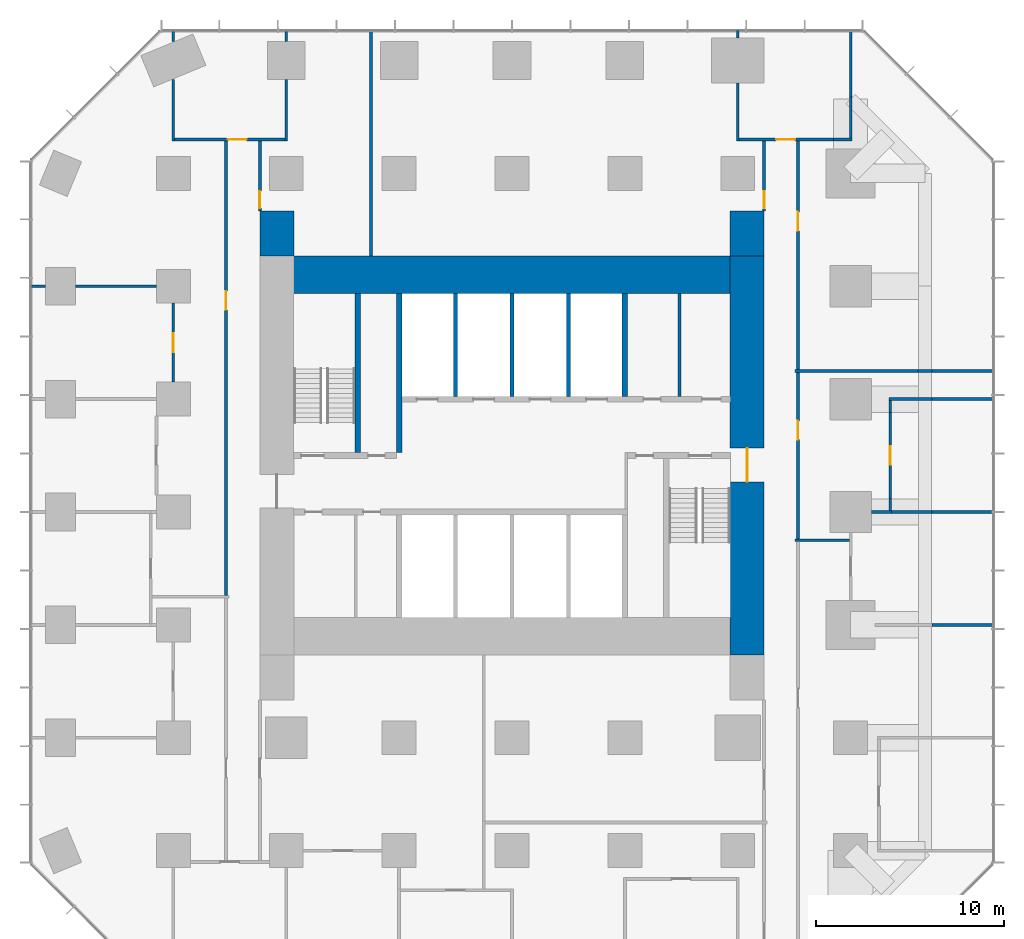
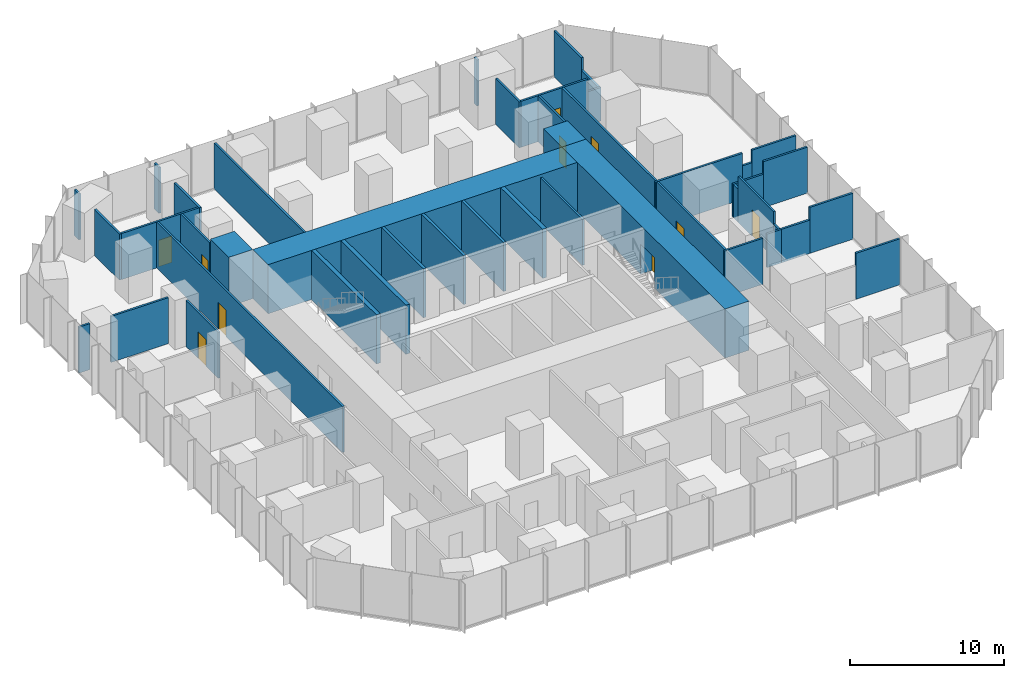
# One storey, part 10 of 12: 44 walls, 10 doors, 10 openings.
"""IFC4 building model written with IfcOpenShell, lengths in metres."""

from ifc_helpers import new_model, si_unit, direction, frame, frame_2d, origin, place, context, subcontext, project, spatial, rectangle, extrude, material, layer, layer_set, type_object, element, fill, save


model = new_model("IFC4")

# Units and contexts
model_context = context("Model", 3, precision=1e-05, world=origin(), true_north=direction((0.0, 1.0)))
body_context = subcontext(model_context, "Body", "Model", "MODEL_VIEW")
ifc_project = project(units=[si_unit("LENGTHUNIT", "METRE"), si_unit("AREAUNIT", "SQUARE_METRE"), si_unit("VOLUMEUNIT", "CUBIC_METRE"), si_unit("PLANEANGLEUNIT", "RADIAN"), si_unit("MASSUNIT", "GRAM", prefix="KILO")], contexts=[model_context])

# Site, building, storey
site_placement = place(None, origin())
site = spatial("IfcSite", under=ifc_project, at=site_placement, CompositionType="ELEMENT")
building_placement = place(site_placement, origin())
building = spatial("IfcBuilding", under=site, at=building_placement, Name="Highveld Stack Headquarters", CompositionType="ELEMENT")
storey_placement = place(building_placement, frame((0.0, 0.0, 57.199951171875)))
storey = spatial("IfcBuildingStorey", under=building, at=storey_placement, Name="L13", CompositionType="ELEMENT", Elevation=57.199951171875)

# Wall, opening, door
ifc_material_1 = material(Name="Concrete C60/75", Category="concrete")
ifc_layer_1 = layer(ifc_material_1, 1.800048828125)
ifc_layer_set_1 = layer_set([ifc_layer_1], Name="Concrete C60/75")
wall_type_1 = type_object("IfcWallType", Name="CORE WALL 1800 C60/75", PredefinedType="SHEAR", material=ifc_layer_set_1)
wall_1_placement = place(storey_placement, frame((18.5, -7.60009765625, 0.0), z_axis=(0.0, 0.0, 1.0), x_axis=(0.0, 1.0, 0.0)))
wall_1 = element("IfcWall", 1, at=wall_1_placement, inside=storey, type_object=wall_type_1, Name="Core wall E L13", PredefinedType="SHEAR", context=body_context, shape_type="SweptSolid", body=[
    extrude(rectangle(XDim=21.2001953125, YDim=1.800048828125, at=frame_2d((10.60009765625, 0.0))), origin(), (0.0, 0.0, 1.0), 3.900146484375),
])
opening_1_placement = place(wall_1_placement, frame((9.199951171875, 0.0, 0.0)))
opening_1 = element("IfcOpeningElement", 2, at=opening_1_placement, cuts=wall_1, Name="Opening L13-02", PredefinedType="OPENING", context=body_context, shape_type="SweptSolid", body=[
    extrude(rectangle(XDim=1.800048828125, YDim=2.39990234375, at=frame_2d((0.89990234375, 1.199951171875))), frame((0.0, 0.909912109375, 0.0), z_axis=(0.0, -1.0, 0.0), x_axis=(1.0, 0.0, 0.0)), (0.0, 0.0, 1.0), 1.820068359375),
])
ifc_material_2 = material(Name="Steel fire door", Category="steel")
door_type_1 = type_object("IfcDoorType", Name="LOBBY FIRE DOOR D4 1800x2400", OperationType="DOUBLE_DOOR_SINGLE_SWING", PredefinedType="DOOR", material=ifc_material_2)
door_1_placement = place(opening_1_placement, origin())
door_1 = element("IfcDoor", 3, at=door_1_placement, inside=storey, type_object=door_type_1, Name="Core east door L13", OperationType="DOUBLE_DOOR_SINGLE_SWING", OverallHeight=2.39990234375, OverallWidth=1.800048828125, PredefinedType="DOOR", context=body_context, shape_type="SweptSolid", body=[
    extrude(rectangle(XDim=1.800048828125, YDim=2.39990234375, at=frame_2d((0.89990234375, 1.199951171875))), frame((0.0, 0.02490234375, 0.0), z_axis=(0.0, -1.0, 0.0), x_axis=(1.0, 0.0, 0.0)), (0.0, 0.0, 1.0), 0.050048828125),
])
fill(opening_1, door_1)

# Walls
ifc_material_3 = material(Name="Concrete C60/75", Category="concrete")
ifc_layer_2 = layer(ifc_material_3, 2.0)
ifc_layer_set_2 = layer_set([ifc_layer_2], Name="Concrete C60/75")
wall_type_2 = type_object("IfcWallType", Name="CORE WALL 2000 C60/75", PredefinedType="SHEAR", material=ifc_layer_set_2)
wall_2_placement = place(storey_placement, frame((-5.60009765625, 12.60009765625, 0.0), z_axis=(0.0, 0.0, 1.0), x_axis=(1.0, 0.0, 0.0)))
element("IfcWall", 4, at=wall_2_placement, inside=storey, type_object=wall_type_2, Name="Core wall N L13", PredefinedType="SHEAR", context=body_context, shape_type="SweptSolid", body=[
    extrude(rectangle(XDim=23.2001953125, YDim=2.0, at=frame_2d((11.60009765625, 0.0))), origin(), (0.0, 0.0, 1.0), 3.900146484375),
])
ifc_material_4 = material(Name="Concrete C60/75", Category="concrete")
ifc_layer_3 = layer(ifc_material_4, 0.300048828125)
ifc_layer_set_3 = layer_set([ifc_layer_3], Name="Concrete C60/75")
wall_type_3 = type_object("IfcWallType", Name="CORE WALL 300 C60/75", PredefinedType="SHEAR", material=ifc_layer_set_3)
wall_3_placement = place(storey_placement, frame((0.0, 3.14990234375, 0.0), z_axis=(0.0, 0.0, 1.0), x_axis=(0.0, 1.0, 0.0)))
element("IfcWall", 5, at=wall_3_placement, inside=storey, type_object=wall_type_3, Name="Core wall I-X0N L13", PredefinedType="SHEAR", context=body_context, shape_type="SweptSolid", body=[
    extrude(rectangle(XDim=8.4501953125, YDim=0.300048828125, at=frame_2d((4.22509765625, 0.0))), origin(), (0.0, 0.0, 1.0), 3.900146484375),
])
wall_4_placement = place(storey_placement, frame((12.0, 6.14990234375, 0.0), z_axis=(0.0, 0.0, 1.0), x_axis=(0.0, 1.0, 0.0)))
element("IfcWall", 6, at=wall_4_placement, inside=storey, type_object=wall_type_3, Name="Core wall I-X12N L13", PredefinedType="SHEAR", context=body_context, shape_type="SweptSolid", body=[
    extrude(rectangle(XDim=5.4501953125, YDim=0.300048828125, at=frame_2d((2.72509765625, 0.0))), origin(), (0.0, 0.0, 1.0), 3.900146484375),
])
wall_5_placement = place(storey_placement, frame((-2.199951171875, 3.14990234375, 0.0), z_axis=(0.0, 0.0, 1.0), x_axis=(0.0, 1.0, 0.0)))
element("IfcWall", 7, at=wall_5_placement, inside=storey, type_object=wall_type_3, Name="Core wall I-RW L13", PredefinedType="SHEAR", context=body_context, shape_type="SweptSolid", body=[
    extrude(rectangle(XDim=8.4501953125, YDim=0.300048828125, at=frame_2d((4.22509765625, 0.0))), origin(), (0.0, 0.0, 1.0), 3.900146484375),
])
ifc_material_5 = material(Name="Concrete C60/75", Category="concrete")
ifc_layer_4 = layer(ifc_material_5, 1.800048828125)
ifc_layer_set_4 = layer_set([ifc_layer_4], Name="Concrete C60/75")
wall_type_4 = type_object("IfcWallType", Name="CORE WING WALL 1800 C60/75", PredefinedType="SHEAR", material=ifc_layer_set_4)
for number, where, z_axis, x_axis, name in (
    (8, (-6.5, 13.60009765625, 0.0), (0.0, 0.0, 1.0), (0.0, 1.0, 0.0), "Core wing wall WN L13"),
    (9, (18.5, 13.60009765625, 0.0), (0.0, 0.0, 1.0), (0.0, 1.0, 0.0), "Core wing wall EN L13"),
):
    element("IfcWall", number, at=place(storey_placement, frame(where, z_axis=z_axis, x_axis=x_axis)), inside=storey, type_object=wall_type_4, Name=name, PredefinedType="SHEAR", context=body_context, shape_type="SweptSolid", body=[
        extrude(rectangle(XDim=2.39990234375, YDim=1.800048828125, at=frame_2d((1.199951171875, 0.0))), origin(), (0.0, 0.0, 1.0), 3.900146484375),
    ])
ifc_material_6 = material(Name="Concrete blockwork, fair-faced", Category="masonry")
ifc_layer_5 = layer(ifc_material_6, 0.199951171875)
ifc_layer_set_5 = layer_set([ifc_layer_5], Name="Concrete blockwork, fair-faced")
wall_type_5 = type_object("IfcWallType", Name="LIFT SHAFT ENCLOSURE WALL 200 BLOCKWORK", PredefinedType="SOLIDWALL", material=ifc_layer_set_5)
for number, where, z_axis, x_axis, name in (
    (10, (3.0, 6.14990234375, 0.0), (0.0, 0.0, 1.0), (0.0, 1.0, 0.0), "Lift shaft wall L13"),
    (11, (6.0, 6.14990234375, 0.0), (0.0, 0.0, 1.0), (0.0, 1.0, 0.0), "Lift shaft wall L13"),
    (12, (9.0, 6.14990234375, 0.0), (0.0, 0.0, 1.0), (0.0, 1.0, 0.0), "Lift shaft wall L13"),
):
    element("IfcWall", number, at=place(storey_placement, frame(where, z_axis=z_axis, x_axis=x_axis)), inside=storey, type_object=wall_type_5, Name=name, PredefinedType="SOLIDWALL", context=body_context, shape_type="SweptSolid", body=[
        extrude(rectangle(XDim=5.4501953125, YDim=0.199951171875, at=frame_2d((2.72509765625, 0.0))), origin(), (0.0, 0.0, 1.0), 3.900146484375),
    ])
ifc_material_7 = material(Name="Gypsum plasterboard on steel studs", Category="steel")
ifc_layer_6 = layer(ifc_material_7, 0.14990234375)
ifc_layer_set_6 = layer_set([ifc_layer_6], Name="Gypsum plasterboard on steel studs")
wall_type_6 = type_object("IfcWallType", Name="PARTITION 150 PLASTERBOARD", PredefinedType="PARTITIONING", material=ifc_layer_set_6)
wall_6_placement = place(storey_placement, frame((28.31005859375, -6.0, 0.0), z_axis=(0.0, 0.0, 1.0), x_axis=(1.0, 0.0, 0.0)))
element("IfcWall", 13, at=wall_6_placement, inside=storey, type_object=wall_type_6, Name="Partition Meeting room L13", PredefinedType="PARTITIONING", context=body_context, shape_type="SweptSolid", body=[
    extrude(rectangle(XDim=3.2900390625, YDim=0.14990234375, at=frame_2d((1.64501953125, 0.0))), origin(), (0.0, 0.0, 1.0), 3.650146484375),
])
wall_7_placement = place(storey_placement, frame((25.10009765625, 0.0, 0.0), z_axis=(0.0, 0.0, 1.0), x_axis=(1.0, 0.0, 0.0)))
element("IfcWall", 14, at=wall_7_placement, inside=storey, type_object=wall_type_6, Name="Partition Meeting room L13", PredefinedType="PARTITIONING", context=body_context, shape_type="SweptSolid", body=[
    extrude(rectangle(XDim=1.074951171875, YDim=0.14990234375, at=frame_2d((0.53759765625, 0.0))), origin(), (0.0, 0.0, 1.0), 2.650146484375),
])
wall_8_placement = place(storey_placement, frame((26.10009765625, 0.0, 0.0), z_axis=(0.0, 0.0, 1.0), x_axis=(1.0, 0.0, 0.0)))
element("IfcWall", 15, at=wall_8_placement, inside=storey, type_object=wall_type_6, Name="Partition Focus room / Meeting room L13", PredefinedType="PARTITIONING", context=body_context, shape_type="SweptSolid", body=[
    extrude(rectangle(XDim=2.2099609375, YDim=0.14990234375, at=frame_2d((1.10498046875, 0.0))), origin(), (0.0, 0.0, 1.0), 2.650146484375),
])
wall_9_placement = place(storey_placement, frame((28.31005859375, 0.0, 0.0), z_axis=(0.0, 0.0, 1.0), x_axis=(1.0, 0.0, 0.0)))
element("IfcWall", 16, at=wall_9_placement, inside=storey, type_object=wall_type_6, Name="Partition Focus room / Meeting room L13", PredefinedType="PARTITIONING", context=body_context, shape_type="SweptSolid", body=[
    extrude(rectangle(XDim=3.239990234375, YDim=0.14990234375, at=frame_2d((1.6201171875, 0.0))), origin(), (0.0, 0.0, 1.0), 3.650146484375),
])
wall_10_placement = place(storey_placement, frame((26.02490234375, 6.0, 0.0), z_axis=(0.0, 0.0, 1.0), x_axis=(1.0, 0.0, 0.0)))
element("IfcWall", 17, at=wall_10_placement, inside=storey, type_object=wall_type_6, Name="Partition Focus room L13", PredefinedType="PARTITIONING", context=body_context, shape_type="SweptSolid", body=[
    extrude(rectangle(XDim=2.28515625, YDim=0.14990234375, at=frame_2d((1.142578125, 0.0))), origin(), (0.0, 0.0, 1.0), 2.650146484375),
])
wall_11_placement = place(storey_placement, frame((28.31005859375, 6.0, 0.0), z_axis=(0.0, 0.0, 1.0), x_axis=(1.0, 0.0, 0.0)))
element("IfcWall", 18, at=wall_11_placement, inside=storey, type_object=wall_type_6, Name="Partition Focus room L13", PredefinedType="PARTITIONING", context=body_context, shape_type="SweptSolid", body=[
    extrude(rectangle(XDim=3.2900390625, YDim=0.14990234375, at=frame_2d((1.64501953125, 0.0))), origin(), (0.0, 0.0, 1.0), 3.650146484375),
])
wall_12_placement = place(storey_placement, frame((-19.60009765625, 12.0, 0.0), z_axis=(0.0, 0.0, 1.0), x_axis=(1.0, 0.0, 0.0)))
element("IfcWall", 19, at=wall_12_placement, inside=storey, type_object=wall_type_6, Name="Partition Office L13", PredefinedType="PARTITIONING", context=body_context, shape_type="SweptSolid", body=[
    extrude(rectangle(XDim=0.800048828125, YDim=0.14990234375, at=frame_2d((0.39990234375, 0.0))), origin(), (0.0, 0.0, 1.0), 3.650146484375),
])
wall_13_placement = place(storey_placement, frame((-17.199951171875, 12.0, 0.0), z_axis=(0.0, 0.0, 1.0), x_axis=(1.0, 0.0, 0.0)))
element("IfcWall", 20, at=wall_13_placement, inside=storey, type_object=wall_type_6, Name="Partition Office L13", PredefinedType="PARTITIONING", context=body_context, shape_type="SweptSolid", body=[
    extrude(rectangle(XDim=4.300048828125, YDim=0.14990234375, at=frame_2d((2.14990234375, 0.0))), origin(), (0.0, 0.0, 1.0), 3.650146484375),
])

# Wall, opening, door
wall_14_placement = place(storey_placement, frame((-11.925048828125, 19.800048828125, 0.0), z_axis=(0.0, 0.0, 1.0), x_axis=(1.0, 0.0, 0.0)))
wall_14 = element("IfcWall", 21, at=wall_14_placement, inside=storey, type_object=wall_type_6, Name="Partition Print room L13", PredefinedType="PARTITIONING", context=body_context, shape_type="SweptSolid", body=[
    extrude(rectangle(XDim=5.85009765625, YDim=0.14990234375, at=frame_2d((2.925048828125, 0.0))), origin(), (0.0, 0.0, 1.0), 3.650146484375),
])
opening_2_placement = place(wall_14_placement, frame((2.824951171875, 0.0, 0.0)))
opening_2 = element("IfcOpeningElement", 22, at=opening_2_placement, cuts=wall_14, Name="Opening L13-22", PredefinedType="OPENING", context=body_context, shape_type="SweptSolid", body=[
    extrude(rectangle(XDim=1.0, YDim=2.10009765625, at=frame_2d((0.5, 1.050048828125))), frame((0.0, 0.0849609375, 0.0), z_axis=(0.0, -1.0, 0.0), x_axis=(1.0, 0.0, 0.0)), (0.0, 0.0, 1.0), 0.169921875),
])
ifc_material_8 = material(Name="Timber door, oiled ash", Category="wood")
door_type_2 = type_object("IfcDoorType", Name="ROOM DOOR D6 1000x2100", OperationType="SINGLE_SWING_LEFT", PredefinedType="DOOR", material=ifc_material_8)
door_2_placement = place(opening_2_placement, origin())
door_2 = element("IfcDoor", 23, at=door_2_placement, inside=storey, type_object=door_type_2, Name="Print room door 1 L13", OperationType="SINGLE_SWING_RIGHT", OverallHeight=2.10009765625, OverallWidth=1.0, PredefinedType="DOOR", context=body_context, shape_type="SweptSolid", body=[
    extrude(rectangle(XDim=1.0, YDim=2.10009765625, at=frame_2d((0.5, 1.050048828125))), frame((0.0, 0.02490234375, 0.0), z_axis=(0.0, -1.0, 0.0), x_axis=(1.0, 0.0, 0.0)), (0.0, 0.0, 1.0), 0.050048828125),
])
fill(opening_2, door_2)

wall_15_placement = place(storey_placement, frame((18.074951171875, 19.800048828125, 0.0), z_axis=(0.0, 0.0, 1.0), x_axis=(1.0, 0.0, 0.0)))
wall_15 = element("IfcWall", 24, at=wall_15_placement, inside=storey, type_object=wall_type_6, Name="Partition Print room L13", PredefinedType="PARTITIONING", context=body_context, shape_type="SweptSolid", body=[
    extrude(rectangle(XDim=5.01513671875, YDim=0.14990234375, at=frame_2d((2.507568359375, 0.0))), origin(), (0.0, 0.0, 1.0), 3.650146484375),
])
opening_3_placement = place(wall_15_placement, frame((1.969970703125, 0.0, 0.0)))
opening_3 = element("IfcOpeningElement", 25, at=opening_3_placement, cuts=wall_15, Name="Opening L13-23", PredefinedType="OPENING", context=body_context, shape_type="SweptSolid", body=[
    extrude(rectangle(XDim=1.0, YDim=2.10009765625, at=frame_2d((0.5, 1.050048828125))), frame((0.0, 0.0849609375, 0.0), z_axis=(0.0, -1.0, 0.0), x_axis=(1.0, 0.0, 0.0)), (0.0, 0.0, 1.0), 0.169921875),
])
door_3_placement = place(opening_3_placement, origin())
door_3 = element("IfcDoor", 26, at=door_3_placement, inside=storey, type_object=door_type_2, Name="Print room door 1 L13", OperationType="SINGLE_SWING_LEFT", OverallHeight=2.10009765625, OverallWidth=1.0, PredefinedType="DOOR", context=body_context, shape_type="SweptSolid", body=[
    extrude(rectangle(XDim=1.0, YDim=2.10009765625, at=frame_2d((0.5, 1.050048828125))), frame((0.0, 0.02490234375, 0.0), z_axis=(0.0, -1.0, 0.0), x_axis=(1.0, 0.0, 0.0)), (0.0, 0.0, 1.0), 0.050048828125),
])
fill(opening_3, door_3)

# Wall
wall_16_placement = place(storey_placement, frame((23.090087890625, 19.800048828125, 0.0), z_axis=(0.0, 0.0, 1.0), x_axis=(1.0, 0.0, 0.0)))
element("IfcWall", 27, at=wall_16_placement, inside=storey, type_object=wall_type_6, Name="Partition Print room L13", PredefinedType="PARTITIONING", context=body_context, shape_type="SweptSolid", body=[
    extrude(rectangle(XDim=0.98486328125, YDim=0.14990234375, at=frame_2d((0.492431640625, 0.0))), origin(), (0.0, 0.0, 1.0), 2.650146484375),
])

# Wall, opening, door
wall_17_placement = place(storey_placement, frame((-12.0, 6.89990234375, 0.0), z_axis=(0.0, 0.0, 1.0), x_axis=(0.0, 1.0, 0.0)))
wall_17 = element("IfcWall", 28, at=wall_17_placement, inside=storey, type_object=wall_type_6, Name="Partition Office L13", PredefinedType="PARTITIONING", context=body_context, shape_type="SweptSolid", body=[
    extrude(rectangle(XDim=4.2001953125, YDim=0.14990234375, at=frame_2d((2.10009765625, 0.0))), origin(), (0.0, 0.0, 1.0), 3.650146484375),
])
opening_4_placement = place(wall_17_placement, frame((1.60009765625, 0.0, 0.0)))
opening_4 = element("IfcOpeningElement", 29, at=opening_4_placement, cuts=wall_17, Name="Opening L13-18", PredefinedType="OPENING", context=body_context, shape_type="SweptSolid", body=[
    extrude(rectangle(XDim=1.0, YDim=2.10009765625, at=frame_2d((0.5, 1.050048828125))), frame((0.0, 0.0849609375, 0.0), z_axis=(0.0, -1.0, 0.0), x_axis=(1.0, 0.0, 0.0)), (0.0, 0.0, 1.0), 0.169921875),
])
door_4_placement = place(opening_4_placement, origin())
door_4 = element("IfcDoor", 30, at=door_4_placement, inside=storey, type_object=door_type_2, Name="Office door 1 L13", OperationType="SINGLE_SWING_LEFT", OverallHeight=2.10009765625, OverallWidth=1.0, PredefinedType="DOOR", context=body_context, shape_type="SweptSolid", body=[
    extrude(rectangle(XDim=1.0, YDim=2.10009765625, at=frame_2d((0.5, 1.050048828125))), frame((0.0, 0.02490234375, 0.0), z_axis=(0.0, -1.0, 0.0), x_axis=(1.0, 0.0, 0.0)), (0.0, 0.0, 1.0), 0.050048828125),
])
fill(opening_4, door_4)

# Walls
wall_18_placement = place(storey_placement, frame((-12.0, 19.72509765625, 0.0), z_axis=(0.0, 0.0, 1.0), x_axis=(0.0, 1.0, 0.0)))
element("IfcWall", 31, at=wall_18_placement, inside=storey, type_object=wall_type_6, Name="Partition Print room L13", PredefinedType="PARTITIONING", context=body_context, shape_type="SweptSolid", body=[
    extrude(rectangle(XDim=3.269775390625, YDim=0.14990234375, at=frame_2d((1.634765625, 0.0))), origin(), (0.0, 0.0, 1.0), 3.650146484375),
])
wall_19_placement = place(storey_placement, frame((-12.0, 25.005126953125, 0.0), z_axis=(0.0, 0.0, 1.0), x_axis=(0.0, 1.0, 0.0)))
element("IfcWall", 32, at=wall_19_placement, inside=storey, type_object=wall_type_6, Name="Partition Print room L13", PredefinedType="PARTITIONING", context=body_context, shape_type="SweptSolid", body=[
    extrude(rectangle(XDim=0.594970703125, YDim=0.14990234375, at=frame_2d((0.29736328125, 0.0))), origin(), (0.0, 0.0, 1.0), 3.650146484375),
])
wall_20_placement = place(storey_placement, frame((-6.0, 19.72509765625, 0.0), z_axis=(0.0, 0.0, 1.0), x_axis=(0.0, 1.0, 0.0)))
element("IfcWall", 33, at=wall_20_placement, inside=storey, type_object=wall_type_6, Name="Partition Print room L13", PredefinedType="PARTITIONING", context=body_context, shape_type="SweptSolid", body=[
    extrude(rectangle(XDim=3.27490234375, YDim=0.14990234375, at=frame_2d((1.637451171875, 0.0))), origin(), (0.0, 0.0, 1.0), 3.650146484375),
])
wall_21_placement = place(storey_placement, frame((-6.0, 25.0, 0.0), z_axis=(0.0, 0.0, 1.0), x_axis=(0.0, 1.0, 0.0)))
element("IfcWall", 34, at=wall_21_placement, inside=storey, type_object=wall_type_6, Name="Partition Print room L13", PredefinedType="PARTITIONING", context=body_context, shape_type="SweptSolid", body=[
    extrude(rectangle(XDim=0.60009765625, YDim=0.14990234375, at=frame_2d((0.300048828125, 0.0))), origin(), (0.0, 0.0, 1.0), 3.650146484375),
])
wall_22_placement = place(storey_placement, frame((18.0, 19.72509765625, 0.0), z_axis=(0.0, 0.0, 1.0), x_axis=(0.0, 1.0, 0.0)))
element("IfcWall", 35, at=wall_22_placement, inside=storey, type_object=wall_type_6, Name="Partition Print room L13", PredefinedType="PARTITIONING", context=body_context, shape_type="SweptSolid", body=[
    extrude(rectangle(XDim=3.074951171875, YDim=0.14990234375, at=frame_2d((1.53759765625, 0.0))), origin(), (0.0, 0.0, 1.0), 3.650146484375),
])
wall_23_placement = place(storey_placement, frame((18.0, 25.199951171875, 0.0), z_axis=(0.0, 0.0, 1.0), x_axis=(0.0, 1.0, 0.0)))
element("IfcWall", 36, at=wall_23_placement, inside=storey, type_object=wall_type_6, Name="Partition Print room L13", PredefinedType="PARTITIONING", context=body_context, shape_type="SweptSolid", body=[
    extrude(rectangle(XDim=0.400146484375, YDim=0.14990234375, at=frame_2d((0.2001953125, 0.0))), origin(), (0.0, 0.0, 1.0), 3.650146484375),
])
wall_24_placement = place(storey_placement, frame((24.0, 19.875, 0.0), z_axis=(0.0, 0.0, 1.0), x_axis=(0.0, 1.0, 0.0)))
element("IfcWall", 37, at=wall_24_placement, inside=storey, type_object=wall_type_6, Name="Partition Print room L13", PredefinedType="PARTITIONING", context=body_context, shape_type="SweptSolid", body=[
    extrude(rectangle(XDim=2.169921875, YDim=0.14990234375, at=frame_2d((1.0849609375, 0.0))), origin(), (0.0, 0.0, 1.0), 2.650146484375),
])
wall_25_placement = place(storey_placement, frame((24.0, 22.044921875, 0.0), z_axis=(0.0, 0.0, 1.0), x_axis=(0.0, 1.0, 0.0)))
element("IfcWall", 38, at=wall_25_placement, inside=storey, type_object=wall_type_6, Name="Partition Print room L13", PredefinedType="PARTITIONING", context=body_context, shape_type="SweptSolid", body=[
    extrude(rectangle(XDim=3.55517578125, YDim=0.14990234375, at=frame_2d((1.777587890625, 0.0))), origin(), (0.0, 0.0, 1.0), 3.650146484375),
])
wall_26_placement = place(storey_placement, frame((26.10009765625, 0.074951171875, 0.0), z_axis=(0.0, 0.0, 1.0), x_axis=(0.0, 1.0, 0.0)))
element("IfcWall", 39, at=wall_26_placement, inside=storey, type_object=wall_type_6, Name="Partition Focus room L13", PredefinedType="PARTITIONING", context=body_context, shape_type="SweptSolid", body=[
    extrude(rectangle(XDim=0.635009765625, YDim=0.14990234375, at=frame_2d((0.3173828125, 0.0))), origin(), (0.0, 0.0, 1.0), 2.650146484375),
])

# Wall, opening, door
wall_27_placement = place(storey_placement, frame((26.10009765625, 0.7099609375, 0.0), z_axis=(0.0, 0.0, 1.0), x_axis=(0.0, 1.0, 0.0)))
wall_27 = element("IfcWall", 40, at=wall_27_placement, inside=storey, type_object=wall_type_6, Name="Partition Focus room L13", PredefinedType="PARTITIONING", context=body_context, shape_type="SweptSolid", body=[
    extrude(rectangle(XDim=4.580078125, YDim=0.14990234375, at=frame_2d((2.2900390625, 0.0))), origin(), (0.0, 0.0, 1.0), 3.650146484375),
])
opening_5_placement = place(wall_27_placement, frame((1.7900390625, 0.0, 0.0)))
opening_5 = element("IfcOpeningElement", 41, at=opening_5_placement, cuts=wall_27, Name="Opening L13-21", PredefinedType="OPENING", context=body_context, shape_type="SweptSolid", body=[
    extrude(rectangle(XDim=1.0, YDim=2.10009765625, at=frame_2d((0.5, 1.050048828125))), frame((0.0, 0.0849609375, 0.0), z_axis=(0.0, -1.0, 0.0), x_axis=(1.0, 0.0, 0.0)), (0.0, 0.0, 1.0), 0.169921875),
])
door_5_placement = place(opening_5_placement, origin())
door_5 = element("IfcDoor", 42, at=door_5_placement, inside=storey, type_object=door_type_2, Name="Focus room door 1 L13", OperationType="SINGLE_SWING_LEFT", OverallHeight=2.10009765625, OverallWidth=1.0, PredefinedType="DOOR", context=body_context, shape_type="SweptSolid", body=[
    extrude(rectangle(XDim=1.0, YDim=2.10009765625, at=frame_2d((0.5, 1.050048828125))), frame((0.0, 0.02490234375, 0.0), z_axis=(0.0, -1.0, 0.0), x_axis=(1.0, 0.0, 0.0)), (0.0, 0.0, 1.0), 0.050048828125),
])
fill(opening_5, door_5)

# Wall
wall_28_placement = place(storey_placement, frame((26.10009765625, 5.2900390625, 0.0), z_axis=(0.0, 0.0, 1.0), x_axis=(0.0, 1.0, 0.0)))
element("IfcWall", 43, at=wall_28_placement, inside=storey, type_object=wall_type_6, Name="Partition Focus room L13", PredefinedType="PARTITIONING", context=body_context, shape_type="SweptSolid", body=[
    extrude(rectangle(XDim=0.635009765625, YDim=0.14990234375, at=frame_2d((0.3173828125, 0.0))), origin(), (0.0, 0.0, 1.0), 2.650146484375),
])

# Wall, opening, door
wall_29_placement = place(storey_placement, frame((-9.199951171875, -4.425048828125, 0.0), z_axis=(0.0, 0.0, 1.0), x_axis=(0.0, 1.0, 0.0)))
wall_29 = element("IfcWall", 44, at=wall_29_placement, inside=storey, type_object=wall_type_6, Name="Partition office neighbourhood L13", PredefinedType="PARTITIONING", context=body_context, shape_type="SweptSolid", body=[
    extrude(rectangle(XDim=24.150146484375, YDim=0.14990234375, at=frame_2d((12.0751953125, 0.0))), origin(), (0.0, 0.0, 1.0), 3.650146484375),
])
opening_6_placement = place(wall_29_placement, frame((15.1708984375, 0.0, 0.0)))
opening_6 = element("IfcOpeningElement", 45, at=opening_6_placement, cuts=wall_29, Name="Opening L13-29", PredefinedType="OPENING", context=body_context, shape_type="SweptSolid", body=[
    extrude(rectangle(XDim=1.0, YDim=2.10009765625, at=frame_2d((0.5, 1.050048828125))), frame((0.0, 0.0849609375, 0.0), z_axis=(0.0, -1.0, 0.0), x_axis=(1.0, 0.0, 0.0)), (0.0, 0.0, 1.0), 0.169921875),
])
door_6_placement = place(opening_6_placement, origin())
door_6 = element("IfcDoor", 46, at=door_6_placement, inside=storey, type_object=door_type_2, Name="Office neighbourhood door L13", OperationType="SINGLE_SWING_RIGHT", OverallHeight=2.10009765625, OverallWidth=1.0, PredefinedType="DOOR", context=body_context, shape_type="SweptSolid", body=[
    extrude(rectangle(XDim=1.0, YDim=2.10009765625, at=frame_2d((0.5, 1.050048828125))), frame((0.0, 0.02490234375, 0.0), z_axis=(0.0, -1.0, 0.0), x_axis=(1.0, 0.0, 0.0)), (0.0, 0.0, 1.0), 0.050048828125),
])
fill(opening_6, door_6)

wall_30_placement = place(storey_placement, frame((-7.39990234375, 16.0, 0.0), z_axis=(0.0, 0.0, 1.0), x_axis=(0.0, 1.0, 0.0)))
wall_30 = element("IfcWall", 47, at=wall_30_placement, inside=storey, type_object=wall_type_6, Name="Partition office neighbourhood L13", PredefinedType="PARTITIONING", context=body_context, shape_type="SweptSolid", body=[
    extrude(rectangle(XDim=3.72509765625, YDim=0.14990234375, at=frame_2d((1.862548828125, 0.0))), origin(), (0.0, 0.0, 1.0), 3.650146484375),
])
opening_7_placement = place(wall_30_placement, frame((0.14990234375, 0.0, 0.0)))
opening_7 = element("IfcOpeningElement", 48, at=opening_7_placement, cuts=wall_30, Name="Opening L13-32", PredefinedType="OPENING", context=body_context, shape_type="SweptSolid", body=[
    extrude(rectangle(XDim=0.89990234375, YDim=2.10009765625, at=frame_2d((0.449951171875, 1.050048828125))), frame((0.0, 0.0849609375, 0.0), z_axis=(0.0, -1.0, 0.0), x_axis=(1.0, 0.0, 0.0)), (0.0, 0.0, 1.0), 0.169921875),
])
ifc_material_9 = material(Name="Timber door, oiled ash", Category="wood")
door_type_3 = type_object("IfcDoorType", Name="ROOM DOOR D15 900x2100", OperationType="SINGLE_SWING_LEFT", PredefinedType="DOOR", material=ifc_material_9)
door_7_placement = place(opening_7_placement, origin())
door_7 = element("IfcDoor", 49, at=door_7_placement, inside=storey, type_object=door_type_3, Name="Office neighbourhood door L13", OperationType="SINGLE_SWING_LEFT", OverallHeight=2.10009765625, OverallWidth=0.89990234375, PredefinedType="DOOR", context=body_context, shape_type="SweptSolid", body=[
    extrude(rectangle(XDim=0.89990234375, YDim=2.10009765625, at=frame_2d((0.449951171875, 1.050048828125))), frame((0.0, 0.02490234375, 0.0), z_axis=(0.0, -1.0, 0.0), x_axis=(1.0, 0.0, 0.0)), (0.0, 0.0, 1.0), 0.050048828125),
])
fill(opening_7, door_7)

# Wall
wall_31_placement = place(storey_placement, frame((-1.5, 13.60009765625, 0.0), z_axis=(0.0, 0.0, 1.0), x_axis=(0.0, 1.0, 0.0)))
element("IfcWall", 50, at=wall_31_placement, inside=storey, type_object=wall_type_6, Name="Partition office neighbourhood L13", PredefinedType="PARTITIONING", context=body_context, shape_type="SweptSolid", body=[
    extrude(rectangle(XDim=12.0, YDim=0.14990234375, at=frame_2d((6.0, 0.0))), origin(), (0.0, 0.0, 1.0), 3.650146484375),
])

# Wall, opening, door
wall_32_placement = place(storey_placement, frame((19.39990234375, 16.0, 0.0), z_axis=(0.0, 0.0, 1.0), x_axis=(0.0, 1.0, 0.0)))
wall_32 = element("IfcWall", 51, at=wall_32_placement, inside=storey, type_object=wall_type_6, Name="Partition office neighbourhood L13", PredefinedType="PARTITIONING", context=body_context, shape_type="SweptSolid", body=[
    extrude(rectangle(XDim=3.72509765625, YDim=0.14990234375, at=frame_2d((1.862548828125, 0.0))), origin(), (0.0, 0.0, 1.0), 3.650146484375),
])
opening_8_placement = place(wall_32_placement, frame((0.14990234375, 0.0, 0.0)))
opening_8 = element("IfcOpeningElement", 52, at=opening_8_placement, cuts=wall_32, Name="Opening L13-33", PredefinedType="OPENING", context=body_context, shape_type="SweptSolid", body=[
    extrude(rectangle(XDim=0.89990234375, YDim=2.10009765625, at=frame_2d((0.449951171875, 1.050048828125))), frame((0.0, 0.0849609375, 0.0), z_axis=(0.0, -1.0, 0.0), x_axis=(1.0, 0.0, 0.0)), (0.0, 0.0, 1.0), 0.169921875),
])
door_8_placement = place(opening_8_placement, origin())
door_8 = element("IfcDoor", 53, at=door_8_placement, inside=storey, type_object=door_type_3, Name="Office neighbourhood door L13", OperationType="SINGLE_SWING_LEFT", OverallHeight=2.10009765625, OverallWidth=0.89990234375, PredefinedType="DOOR", context=body_context, shape_type="SweptSolid", body=[
    extrude(rectangle(XDim=0.89990234375, YDim=2.10009765625, at=frame_2d((0.449951171875, 1.050048828125))), frame((0.0, 0.02490234375, 0.0), z_axis=(0.0, -1.0, 0.0), x_axis=(1.0, 0.0, 0.0)), (0.0, 0.0, 1.0), 0.050048828125),
])
fill(opening_8, door_8)

wall_33_placement = place(storey_placement, frame((21.199951171875, -1.425048828125, 0.0), z_axis=(0.0, 0.0, 1.0), x_axis=(0.0, 1.0, 0.0)))
wall_33 = element("IfcWall", 54, at=wall_33_placement, inside=storey, type_object=wall_type_6, Name="Partition office neighbourhood L13", PredefinedType="PARTITIONING", context=body_context, shape_type="SweptSolid", body=[
    extrude(rectangle(XDim=8.85009765625, YDim=0.14990234375, at=frame_2d((4.425048828125, 0.0))), origin(), (0.0, 0.0, 1.0), 3.650146484375),
])
opening_9_placement = place(wall_33_placement, frame((5.27490234375, 0.0, 0.0)))
opening_9 = element("IfcOpeningElement", 55, at=opening_9_placement, cuts=wall_33, Name="Opening L13-28", PredefinedType="OPENING", context=body_context, shape_type="SweptSolid", body=[
    extrude(rectangle(XDim=1.0, YDim=2.10009765625, at=frame_2d((0.5, 1.050048828125))), frame((0.0, 0.0849609375, 0.0), z_axis=(0.0, -1.0, 0.0), x_axis=(1.0, 0.0, 0.0)), (0.0, 0.0, 1.0), 0.169921875),
])
door_9_placement = place(opening_9_placement, origin())
door_9 = element("IfcDoor", 56, at=door_9_placement, inside=storey, type_object=door_type_2, Name="Office neighbourhood door L13", OperationType="SINGLE_SWING_RIGHT", OverallHeight=2.10009765625, OverallWidth=1.0, PredefinedType="DOOR", context=body_context, shape_type="SweptSolid", body=[
    extrude(rectangle(XDim=1.0, YDim=2.10009765625, at=frame_2d((0.5, 1.050048828125))), frame((0.0, 0.02490234375, 0.0), z_axis=(0.0, -1.0, 0.0), x_axis=(1.0, 0.0, 0.0)), (0.0, 0.0, 1.0), 0.050048828125),
])
fill(opening_9, door_9)

# Wall
wall_34_placement = place(storey_placement, frame((21.050048828125, -1.5, 0.0), z_axis=(0.0, 0.0, 1.0), x_axis=(1.0, 0.0, 0.0)))
element("IfcWall", 57, at=wall_34_placement, inside=storey, type_object=wall_type_6, Name="Partition office neighbourhood L13", PredefinedType="PARTITIONING", context=body_context, shape_type="SweptSolid", body=[
    extrude(rectangle(XDim=2.875, YDim=0.14990234375, at=frame_2d((1.4375, 0.0))), origin(), (0.0, 0.0, 1.0), 3.650146484375),
])

# Wall, opening, door
wall_35_placement = place(storey_placement, frame((21.199951171875, 7.574951171875, 0.0), z_axis=(0.0, 0.0, 1.0), x_axis=(0.0, 1.0, 0.0)))
wall_35 = element("IfcWall", 58, at=wall_35_placement, inside=storey, type_object=wall_type_6, Name="Partition office neighbourhood L13", PredefinedType="PARTITIONING", context=body_context, shape_type="SweptSolid", body=[
    extrude(rectangle(XDim=12.150146484375, YDim=0.14990234375, at=frame_2d((6.0751953125, 0.0))), origin(), (0.0, 0.0, 1.0), 3.650146484375),
])
opening_10_placement = place(wall_35_placement, frame((7.37109375, 0.0, 0.0)))
opening_10 = element("IfcOpeningElement", 59, at=opening_10_placement, cuts=wall_35, Name="Opening L13-30", PredefinedType="OPENING", context=body_context, shape_type="SweptSolid", body=[
    extrude(rectangle(XDim=1.0, YDim=2.10009765625, at=frame_2d((0.5, 1.050048828125))), frame((0.0, 0.0849609375, 0.0), z_axis=(0.0, -1.0, 0.0), x_axis=(1.0, 0.0, 0.0)), (0.0, 0.0, 1.0), 0.169921875),
])
door_10_placement = place(opening_10_placement, origin())
door_10 = element("IfcDoor", 60, at=door_10_placement, inside=storey, type_object=door_type_2, Name="Office neighbourhood door L13", OperationType="SINGLE_SWING_RIGHT", OverallHeight=2.10009765625, OverallWidth=1.0, PredefinedType="DOOR", context=body_context, shape_type="SweptSolid", body=[
    extrude(rectangle(XDim=1.0, YDim=2.10009765625, at=frame_2d((0.5, 1.050048828125))), frame((0.0, 0.02490234375, 0.0), z_axis=(0.0, -1.0, 0.0), x_axis=(1.0, 0.0, 0.0)), (0.0, 0.0, 1.0), 0.050048828125),
])
fill(opening_10, door_10)

# Walls
wall_36_placement = place(storey_placement, frame((21.050048828125, 7.5, 0.0), z_axis=(0.0, 0.0, 1.0), x_axis=(1.0, 0.0, 0.0)))
element("IfcWall", 61, at=wall_36_placement, inside=storey, type_object=wall_type_6, Name="Partition office neighbourhood L13", PredefinedType="PARTITIONING", context=body_context, shape_type="SweptSolid", body=[
    extrude(rectangle(XDim=6.5400390625, YDim=0.14990234375, at=frame_2d((3.27001953125, 0.0))), origin(), (0.0, 0.0, 1.0), 3.650146484375),
])
wall_37_placement = place(storey_placement, frame((27.590087890625, 7.5, 0.0), z_axis=(0.0, 0.0, 1.0), x_axis=(1.0, 0.0, 0.0)))
element("IfcWall", 62, at=wall_37_placement, inside=storey, type_object=wall_type_6, Name="Partition office neighbourhood L13", PredefinedType="PARTITIONING", context=body_context, shape_type="SweptSolid", body=[
    extrude(rectangle(XDim=0.719970703125, YDim=0.14990234375, at=frame_2d((0.35986328125, 0.0))), origin(), (0.0, 0.0, 1.0), 2.650146484375),
])
wall_38_placement = place(storey_placement, frame((28.31005859375, 7.5, 0.0), z_axis=(0.0, 0.0, 1.0), x_axis=(1.0, 0.0, 0.0)))
element("IfcWall", 63, at=wall_38_placement, inside=storey, type_object=wall_type_6, Name="Partition office neighbourhood L13", PredefinedType="PARTITIONING", context=body_context, shape_type="SweptSolid", body=[
    extrude(rectangle(XDim=3.2900390625, YDim=0.14990234375, at=frame_2d((1.64501953125, 0.0))), origin(), (0.0, 0.0, 1.0), 3.650146484375),
])
ifc_material_10 = material(Name="Concrete blockwork, tiled", Category="masonry")
ifc_layer_7 = layer(ifc_material_10, 0.14990234375)
ifc_layer_set_7 = layer_set([ifc_layer_7], Name="Concrete blockwork, tiled")
wall_type_7 = type_object("IfcWallType", Name="WC PARTITION 150", PredefinedType="PLUMBINGWALL", material=ifc_layer_set_7)
wall_39_placement = place(storey_placement, frame((14.89990234375, 6.14990234375, 0.0), z_axis=(0.0, 0.0, 1.0), x_axis=(0.0, 1.0, 0.0)))
element("IfcWall", 64, at=wall_39_placement, inside=storey, type_object=wall_type_7, Name="Toilet partition L13", PredefinedType="PLUMBINGWALL", context=body_context, shape_type="SweptSolid", body=[
    extrude(rectangle(XDim=5.4501953125, YDim=0.14990234375, at=frame_2d((2.72509765625, 0.0))), origin(), (0.0, 0.0, 1.0), 3.650146484375),
])

save(model, "model.ifc")
